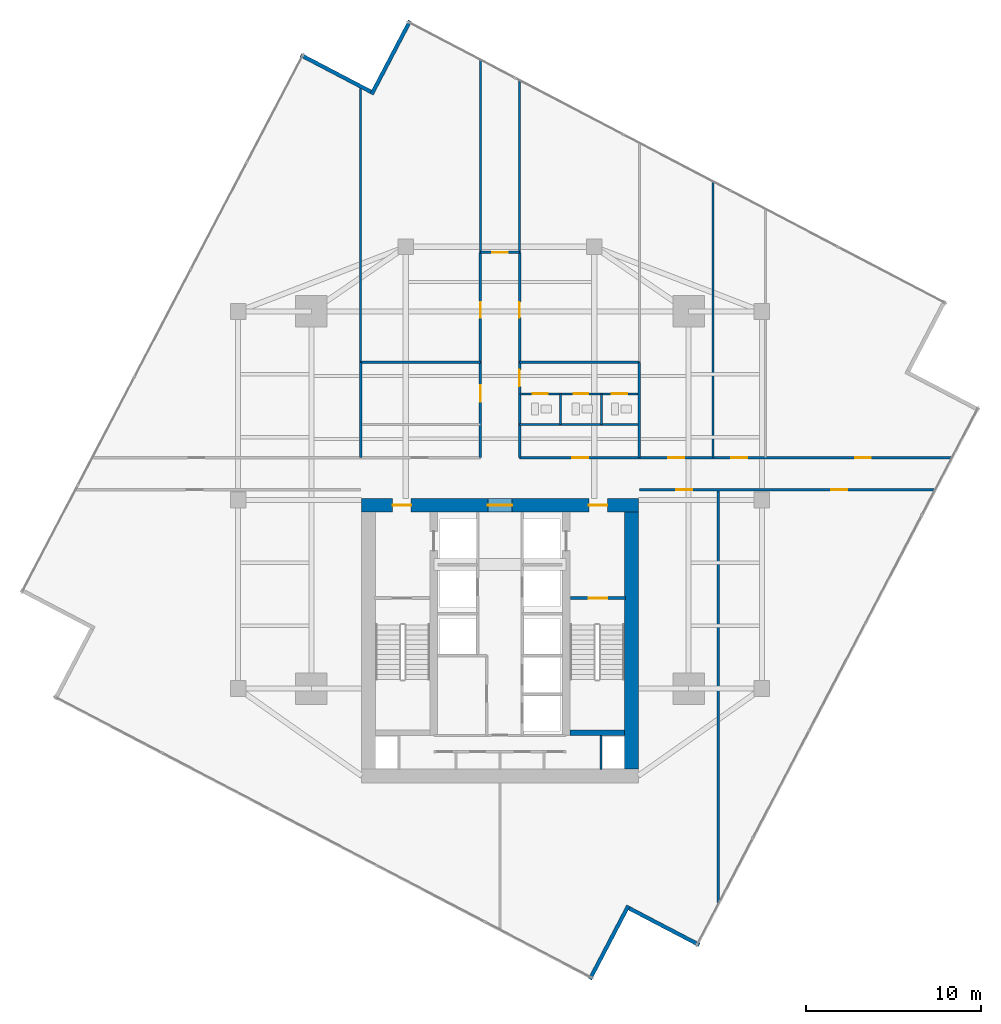
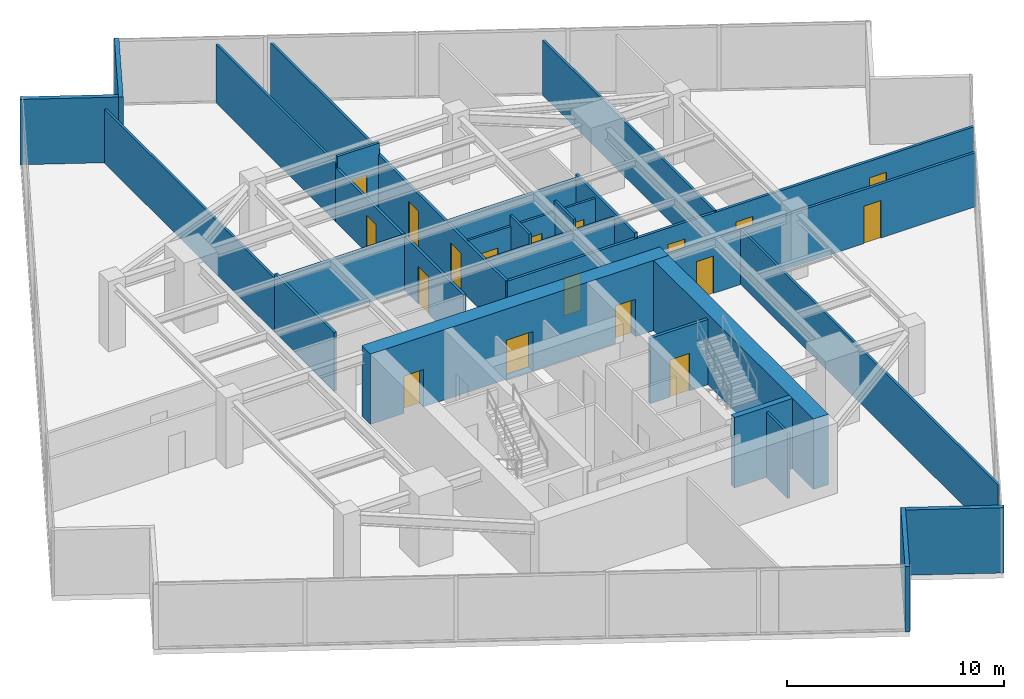
# One storey, part 24 of 27: 27 walls, 18 doors, 18 openings.
"""IFC4 building model written with IfcOpenShell, lengths in metres."""

from ifc_helpers import new_model, si_unit, direction, frame, frame_2d, origin, place, context, subcontext, project, spatial, rectangle, extrude, material, layer, layer_set, type_object, element, fill, save


model = new_model("IFC4")

# Units and contexts
model_context = context("Model", 3, precision=1e-05, world=origin(), true_north=direction((0.0, 1.0)))
body_context = subcontext(model_context, "Body", "Model", "MODEL_VIEW")
ifc_project = project(units=[si_unit("LENGTHUNIT", "METRE"), si_unit("AREAUNIT", "SQUARE_METRE"), si_unit("VOLUMEUNIT", "CUBIC_METRE"), si_unit("PLANEANGLEUNIT", "RADIAN"), si_unit("MASSUNIT", "GRAM", prefix="KILO")], contexts=[model_context])

# Site, building, storey
site_placement = place(None, origin())
site = spatial("IfcSite", under=ifc_project, at=site_placement, CompositionType="ELEMENT")
building_placement = place(site_placement, origin())
building = spatial("IfcBuilding", under=site, at=building_placement, Name="Krantzveldt Concourse Tower", CompositionType="ELEMENT")
storey_placement = place(building_placement, frame((0.0, 0.0, 158.050048828125)))
storey = spatial("IfcBuildingStorey", under=building, at=storey_placement, Name="L38", CompositionType="ELEMENT", Elevation=158.050048828125)

# Walls
ifc_material_1 = material(Name="Anodised aluminium 6063-T6", Category="aluminium")
ifc_layer_1 = layer(ifc_material_1, 0.219970703125, Name="Anodised aluminium 6063-T6", Category="aluminium")
ifc_layer_set_1 = layer_set([ifc_layer_1], Name="Anodised aluminium 6063-T6 (WL-EXT-NOTCH220)")
wall_type_1 = type_object("IfcWallType", Name="WL-EXT-NOTCH220", PredefinedType="ELEMENTEDWALL", material=ifc_layer_set_1)
wall_1_placement = place(storey_placement, frame((28.6005859375, 50.087158203125, 0.0), z_axis=(0.0, 0.0, 1.0), x_axis=(-0.885997280363, 0.463690434653, 0.0)))
element("IfcWall", 1, at=wall_1_placement, inside=storey, type_object=wall_type_1, Name="EW-L38-NCH00", PredefinedType="ELEMENTEDWALL", context=body_context, shape_type="SweptSolid", body=[
    extrude(rectangle(XDim=4.52490234375, YDim=0.219970703125, at=frame_2d((2.262451171875, 0.0))), origin(), (0.0, 0.0, 1.0), 3.669921875),
])
wall_2_placement = place(storey_placement, frame((41.15283203125, -0.74267578125, 0.0), z_axis=(0.0, 0.0, 1.0), x_axis=(0.463643579795, 0.886021800474, 0.0)))
element("IfcWall", 2, at=wall_2_placement, inside=storey, type_object=wall_type_1, Name="EW-L38-NCH05", PredefinedType="ELEMENTEDWALL", context=body_context, shape_type="SweptSolid", body=[
    extrude(rectangle(XDim=4.744873046875, YDim=0.219970703125, at=frame_2d((2.37255859375, 0.0))), origin(), (0.0, 0.0, 1.0), 3.669921875),
])
wall_3_placement = place(storey_placement, frame((43.3994140625, 3.31298828125, 0.0), z_axis=(0.0, 0.0, 1.0), x_axis=(0.885997280363, -0.463690434653, 0.0)))
element("IfcWall", 3, at=wall_3_placement, inside=storey, type_object=wall_type_1, Name="EW-L38-NCH06", PredefinedType="ELEMENTEDWALL", context=body_context, shape_type="SweptSolid", body=[
    extrude(rectangle(XDim=4.52490234375, YDim=0.219970703125, at=frame_2d((2.262451171875, 0.0))), origin(), (0.0, 0.0, 1.0), 3.669921875),
])
wall_4_placement = place(storey_placement, frame((30.84716796875, 54.142578125, 0.0), z_axis=(0.0, 0.0, 1.0), x_axis=(-0.463643579795, -0.886021800474, 0.0)))
element("IfcWall", 4, at=wall_4_placement, inside=storey, type_object=wall_type_1, Name="EW-L38-NCH11", PredefinedType="ELEMENTEDWALL", context=body_context, shape_type="SweptSolid", body=[
    extrude(rectangle(XDim=4.744873046875, YDim=0.219970703125, at=frame_2d((2.37255859375, 0.0))), origin(), (0.0, 0.0, 1.0), 3.669921875),
])
ifc_material_2 = material(Name="Fire-rated gypsum plasterboard on steel stud", Category="steel")
ifc_layer_2 = layer(ifc_material_2, 0.1201171875, Name="Fire-rated gypsum plasterboard on steel stud", Category="steel")
ifc_layer_set_2 = layer_set([ifc_layer_2], Name="Fire-rated gypsum plasterboard on steel stud (WL-PART-120)")
wall_type_2 = type_object("IfcWallType", Name="WL-PART-120", PredefinedType="PARTITIONING", material=ifc_layer_set_2)
wall_5_placement = place(storey_placement, frame((37.1201171875, 31.02001953125, 0.0), z_axis=(0.0, 0.0, 1.0), x_axis=(1.0, 0.0, 0.0)))
element("IfcWall", 5, at=wall_5_placement, inside=storey, type_object=wall_type_2, Name="WP-L38-ISMR", PredefinedType="PARTITIONING", context=body_context, shape_type="SweptSolid", body=[
    extrude(rectangle(XDim=6.85986328125, YDim=0.1201171875, at=frame_2d((3.429931640625, 0.0))), origin(), (0.0, 0.0, 1.0), 3.079833984375),
])

# Wall, openings, doors
wall_6_placement = place(storey_placement, frame((37.14990234375, 32.780029296875, 0.0), z_axis=(0.0, 0.0, 1.0), x_axis=(1.0, 0.0, 0.0)))
wall_6 = element("IfcWall", 6, at=wall_6_placement, inside=storey, type_object=wall_type_2, Name="WP-L38-WCHDR", PredefinedType="PARTITIONING", context=body_context, shape_type="SweptSolid", body=[
    extrude(rectangle(XDim=6.800048828125, YDim=0.1201171875, at=frame_2d((3.39990234375, 0.0))), origin(), (0.0, 0.0, 1.0), 3.079833984375),
])
opening_1_placement = place(wall_6_placement, frame((0.72509765625, 0.0, 0.0)))
opening_1 = element("IfcOpeningElement", 7, at=opening_1_placement, cuts=wall_6, Name="Opening D-IN085", PredefinedType="OPENING", context=body_context, shape_type="SweptSolid", body=[
    extrude(rectangle(XDim=0.85009765625, YDim=2.10009765625, at=frame_2d((0.425048828125, 1.050048828125))), frame((0.0, 0.070068359375, 0.0), z_axis=(0.0, -1.0, 0.0), x_axis=(1.0, 0.0, 0.0)), (0.0, 0.0, 1.0), 0.14013671875),
])
opening_2_placement = place(wall_6_placement, frame((3.06494140625, 0.0, 0.0)))
opening_2 = element("IfcOpeningElement", 8, at=opening_2_placement, cuts=wall_6, Name="Opening D-IN085", PredefinedType="OPENING", context=body_context, shape_type="SweptSolid", body=[
    extrude(rectangle(XDim=0.85009765625, YDim=2.10009765625, at=frame_2d((0.425048828125, 1.050048828125))), frame((0.0, 0.070068359375, 0.0), z_axis=(0.0, -1.0, 0.0), x_axis=(1.0, 0.0, 0.0)), (0.0, 0.0, 1.0), 0.14013671875),
])
opening_3_placement = place(wall_6_placement, frame((5.25, 0.0, 0.0)))
opening_3 = element("IfcOpeningElement", 9, at=opening_3_placement, cuts=wall_6, Name="Opening D-IN090", PredefinedType="OPENING", context=body_context, shape_type="SweptSolid", body=[
    extrude(rectangle(XDim=0.89990234375, YDim=2.10009765625, at=frame_2d((0.449951171875, 1.050048828125))), frame((0.0, 0.070068359375, 0.0), z_axis=(0.0, -1.0, 0.0), x_axis=(1.0, 0.0, 0.0)), (0.0, 0.0, 1.0), 0.14013671875),
])
ifc_material_3 = material(Name="Hardwood timber", Category="wood")
door_type_1 = type_object("IfcDoorType", Name="DR-INT-850", OperationType="SINGLE_SWING_LEFT", PredefinedType="DOOR", material=ifc_material_3)
door_1_placement = place(opening_1_placement, origin())
door_1 = element("IfcDoor", 10, at=door_1_placement, inside=storey, type_object=door_type_1, Name="DR-L38-WCM", OperationType="SINGLE_SWING_LEFT", OverallHeight=2.10009765625, OverallWidth=0.85009765625, PredefinedType="DOOR", context=body_context, shape_type="SweptSolid", body=[
    extrude(rectangle(XDim=0.85009765625, YDim=2.10009765625, at=frame_2d((0.425048828125, 1.050048828125))), frame((0.0, 0.02490234375, 0.0), z_axis=(0.0, -1.0, 0.0), x_axis=(1.0, 0.0, 0.0)), (0.0, 0.0, 1.0), 0.050048828125),
])
fill(opening_1, door_1)
door_2_placement = place(opening_2_placement, origin())
door_2 = element("IfcDoor", 11, at=door_2_placement, inside=storey, type_object=door_type_1, Name="DR-L38-WCF", OperationType="SINGLE_SWING_RIGHT", OverallHeight=2.10009765625, OverallWidth=0.85009765625, PredefinedType="DOOR", context=body_context, shape_type="SweptSolid", body=[
    extrude(rectangle(XDim=0.85009765625, YDim=2.10009765625, at=frame_2d((0.425048828125, 1.050048828125))), frame((0.0, 0.02490234375, 0.0), z_axis=(0.0, -1.0, 0.0), x_axis=(1.0, 0.0, 0.0)), (0.0, 0.0, 1.0), 0.050048828125),
])
fill(opening_2, door_2)
door_type_2 = type_object("IfcDoorType", Name="DR-INT-900", OperationType="SINGLE_SWING_LEFT", PredefinedType="DOOR", material=ifc_material_3)
door_3_placement = place(opening_3_placement, origin())
door_3 = element("IfcDoor", 12, at=door_3_placement, inside=storey, type_object=door_type_2, Name="DR-L38-WCA", OperationType="SINGLE_SWING_LEFT", OverallHeight=2.10009765625, OverallWidth=0.89990234375, PredefinedType="DOOR", context=body_context, shape_type="SweptSolid", body=[
    extrude(rectangle(XDim=0.89990234375, YDim=2.10009765625, at=frame_2d((0.449951171875, 1.050048828125))), frame((0.0, 0.02490234375, 0.0), z_axis=(0.0, -1.0, 0.0), x_axis=(1.0, 0.0, 0.0)), (0.0, 0.0, 1.0), 0.050048828125),
])
fill(opening_3, door_3)

# Walls
for number, where, z_axis, x_axis, name in (
    (13, (39.469970703125, 31.02001953125, 0.0), (0.0, 0.0, 1.0), (0.0, 1.0, 0.0), "WP-L38-WCD1"),
    (14, (41.81005859375, 31.02001953125, 0.0), (0.0, 0.0, 1.0), (0.0, 1.0, 0.0), "WP-L38-WCD2"),
):
    element("IfcWall", number, at=place(storey_placement, frame(where, z_axis=z_axis, x_axis=x_axis)), inside=storey, type_object=wall_type_2, Name=name, PredefinedType="PARTITIONING", context=body_context, shape_type="SweptSolid", body=[
        extrude(rectangle(XDim=1.760009765625, YDim=0.1201171875, at=frame_2d((0.8798828125, 0.0))), origin(), (0.0, 0.0, 1.0), 3.669921875),
    ])
wall_7_placement = place(storey_placement, frame((34.8798828125, 40.8798828125, 0.0), z_axis=(0.0, 0.0, 1.0), x_axis=(0.0, 1.0, 0.0)))
element("IfcWall", 15, at=wall_7_placement, inside=storey, type_object=wall_type_2, Name="WP-L38-NTL", PredefinedType="PARTITIONING", context=body_context, shape_type="SweptSolid", body=[
    extrude(rectangle(XDim=11.0224609375, YDim=0.1201171875, at=frame_2d((5.51123046875, 0.0))), origin(), (0.0, 0.0, 1.0), 3.280029296875),
])
wall_8_placement = place(storey_placement, frame((37.1201171875, 40.8798828125, 0.0), z_axis=(0.0, 0.0, 1.0), x_axis=(0.0, 1.0, 0.0)))
element("IfcWall", 16, at=wall_8_placement, inside=storey, type_object=wall_type_2, Name="WP-L38-NTR", PredefinedType="PARTITIONING", context=body_context, shape_type="SweptSolid", body=[
    extrude(rectangle(XDim=9.85009765625, YDim=0.1201171875, at=frame_2d((4.925048828125, 0.0))), origin(), (0.0, 0.0, 1.0), 3.280029296875),
])
wall_9_placement = place(storey_placement, frame((28.02001953125, 34.580078125, 0.0), z_axis=(0.0, 0.0, 1.0), x_axis=(0.0, 1.0, 0.0)))
element("IfcWall", 17, at=wall_9_placement, inside=storey, type_object=wall_type_2, Name="WP-L38-ISWL2", PredefinedType="PARTITIONING", context=body_context, shape_type="SweptSolid", body=[
    extrude(rectangle(XDim=15.68115234375, YDim=0.1201171875, at=frame_2d((7.840576171875, 0.0))), origin(), (0.0, 0.0, 1.0), 3.030029296875),
])
wall_10_placement = place(storey_placement, frame((48.199951171875, 29.1201171875, 0.0), z_axis=(0.0, 0.0, 1.0), x_axis=(0.0, 1.0, 0.0)))
element("IfcWall", 18, at=wall_10_placement, inside=storey, type_object=wall_type_2, Name="WP-L38-NEX1", PredefinedType="PARTITIONING", context=body_context, shape_type="SweptSolid", body=[
    extrude(rectangle(XDim=15.811279296875, YDim=0.1201171875, at=frame_2d((7.90576171875, 0.0))), origin(), (0.0, 0.0, 1.0), 3.079833984375),
])
wall_11_placement = place(storey_placement, frame((48.5, 3.54833984375, 0.0), z_axis=(0.0, 0.0, 1.0), x_axis=(0.0, 1.0, 0.0)))
element("IfcWall", 19, at=wall_11_placement, inside=storey, type_object=wall_type_2, Name="WP-L38-SEX1", PredefinedType="PARTITIONING", context=body_context, shape_type="SweptSolid", body=[
    extrude(rectangle(XDim=23.731689453125, YDim=0.1201171875, at=frame_2d((11.86572265625, 0.0))), origin(), (0.0, 0.0, 1.0), 3.079833984375),
])

# Wall, openings, doors
ifc_layer_3 = layer(ifc_material_2, 0.139892578125, Name="Fire-rated gypsum plasterboard on steel stud", Category="steel")
ifc_layer_set_3 = layer_set([ifc_layer_3], Name="Fire-rated gypsum plasterboard on steel stud (WL-PART-140)")
wall_type_3 = type_object("IfcWallType", Name="WL-PART-140", PredefinedType="PARTITIONING", material=ifc_layer_set_3)
wall_12_placement = place(storey_placement, frame((34.8798828125, 29.1201171875, 0.0), z_axis=(0.0, 0.0, 1.0), x_axis=(0.0, 1.0, 0.0)))
wall_12 = element("IfcWall", 20, at=wall_12_placement, inside=storey, type_object=wall_type_3, Name="WP-L38-SPWL", PredefinedType="PARTITIONING", context=body_context, shape_type="SweptSolid", body=[
    extrude(rectangle(XDim=11.759765625, YDim=0.139892578125, at=frame_2d((5.8798828125, 0.0))), origin(), (0.0, 0.0, 1.0), 3.030029296875),
])
opening_4_placement = place(wall_12_placement, frame((3.205078125, 0.0, 0.0)))
opening_4 = element("IfcOpeningElement", 21, at=opening_4_placement, cuts=wall_12, Name="Opening D-IN095", PredefinedType="OPENING", context=body_context, shape_type="SweptSolid", body=[
    extrude(rectangle(XDim=0.949951171875, YDim=2.10009765625, at=frame_2d((0.47509765625, 1.050048828125))), frame((0.0, 0.080078125, 0.0), z_axis=(0.0, -1.0, 0.0), x_axis=(1.0, 0.0, 0.0)), (0.0, 0.0, 1.0), 0.159912109375),
])
opening_5_placement = place(wall_12_placement, frame((8.02001953125, 0.0, 0.0)))
opening_5 = element("IfcOpeningElement", 22, at=opening_5_placement, cuts=wall_12, Name="Opening D-IN090", PredefinedType="OPENING", context=body_context, shape_type="SweptSolid", body=[
    extrude(rectangle(XDim=0.89990234375, YDim=2.10009765625, at=frame_2d((0.449951171875, 1.050048828125))), frame((0.0, 0.080078125, 0.0), z_axis=(0.0, -1.0, 0.0), x_axis=(1.0, 0.0, 0.0)), (0.0, 0.0, 1.0), 0.159912109375),
])
door_4_placement = place(opening_5_placement, origin())
door_4 = element("IfcDoor", 23, at=door_4_placement, inside=storey, type_object=door_type_2, Name="DR-L38-NWI1", OperationType="SINGLE_SWING_LEFT", OverallHeight=2.10009765625, OverallWidth=0.89990234375, PredefinedType="DOOR", context=body_context, shape_type="SweptSolid", body=[
    extrude(rectangle(XDim=0.89990234375, YDim=2.10009765625, at=frame_2d((0.449951171875, 1.050048828125))), frame((0.0, 0.02490234375, 0.0), z_axis=(0.0, -1.0, 0.0), x_axis=(1.0, 0.0, 0.0)), (0.0, 0.0, 1.0), 0.050048828125),
])
fill(opening_5, door_4)
door_type_3 = type_object("IfcDoorType", Name="DR-INT-950", OperationType="SINGLE_SWING_LEFT", PredefinedType="DOOR", material=ifc_material_3)
door_5_placement = place(opening_4_placement, origin())
door_5 = element("IfcDoor", 24, at=door_5_placement, inside=storey, type_object=door_type_3, Name="DR-L38-PNT", OperationType="SINGLE_SWING_RIGHT", OverallHeight=2.10009765625, OverallWidth=0.949951171875, PredefinedType="DOOR", context=body_context, shape_type="SweptSolid", body=[
    extrude(rectangle(XDim=0.949951171875, YDim=2.10009765625, at=frame_2d((0.47509765625, 1.050048828125))), frame((0.0, 0.02490234375, 0.0), z_axis=(0.0, -1.0, 0.0), x_axis=(1.0, 0.0, 0.0)), (0.0, 0.0, 1.0), 0.050048828125),
])
fill(opening_4, door_5)

wall_13_placement = place(storey_placement, frame((37.1201171875, 29.1201171875, 0.0), z_axis=(0.0, 0.0, 1.0), x_axis=(0.0, 1.0, 0.0)))
wall_13 = element("IfcWall", 25, at=wall_13_placement, inside=storey, type_object=wall_type_3, Name="WP-L38-SPER", PredefinedType="PARTITIONING", context=body_context, shape_type="SweptSolid", body=[
    extrude(rectangle(XDim=11.759765625, YDim=0.139892578125, at=frame_2d((5.8798828125, 0.0))), origin(), (0.0, 0.0, 1.0), 3.030029296875),
])
opening_6_placement = place(wall_13_placement, frame((4.0849609375, 0.0, 0.0)))
opening_6 = element("IfcOpeningElement", 26, at=opening_6_placement, cuts=wall_13, Name="Opening D-IN095", PredefinedType="OPENING", context=body_context, shape_type="SweptSolid", body=[
    extrude(rectangle(XDim=0.949951171875, YDim=2.10009765625, at=frame_2d((0.47509765625, 1.050048828125))), frame((0.0, 0.080078125, 0.0), z_axis=(0.0, -1.0, 0.0), x_axis=(1.0, 0.0, 0.0)), (0.0, 0.0, 1.0), 0.159912109375),
])
opening_7_placement = place(wall_13_placement, frame((8.02001953125, 0.0, 0.0)))
opening_7 = element("IfcOpeningElement", 27, at=opening_7_placement, cuts=wall_13, Name="Opening D-IN090", PredefinedType="OPENING", context=body_context, shape_type="SweptSolid", body=[
    extrude(rectangle(XDim=0.89990234375, YDim=2.10009765625, at=frame_2d((0.449951171875, 1.050048828125))), frame((0.0, 0.080078125, 0.0), z_axis=(0.0, -1.0, 0.0), x_axis=(1.0, 0.0, 0.0)), (0.0, 0.0, 1.0), 0.159912109375),
])
door_6_placement = place(opening_7_placement, origin())
door_6 = element("IfcDoor", 28, at=door_6_placement, inside=storey, type_object=door_type_2, Name="DR-L38-NEI1", OperationType="SINGLE_SWING_LEFT", OverallHeight=2.10009765625, OverallWidth=0.89990234375, PredefinedType="DOOR", context=body_context, shape_type="SweptSolid", body=[
    extrude(rectangle(XDim=0.89990234375, YDim=2.10009765625, at=frame_2d((0.449951171875, 1.050048828125))), frame((0.0, 0.02490234375, 0.0), z_axis=(0.0, -1.0, 0.0), x_axis=(1.0, 0.0, 0.0)), (0.0, 0.0, 1.0), 0.050048828125),
])
fill(opening_7, door_6)
door_7_placement = place(opening_6_placement, origin())
door_7 = element("IfcDoor", 29, at=door_7_placement, inside=storey, type_object=door_type_3, Name="DR-L38-WCLB", OperationType="SINGLE_SWING_LEFT", OverallHeight=2.10009765625, OverallWidth=0.949951171875, PredefinedType="DOOR", context=body_context, shape_type="SweptSolid", body=[
    extrude(rectangle(XDim=0.949951171875, YDim=2.10009765625, at=frame_2d((0.47509765625, 1.050048828125))), frame((0.0, 0.02490234375, 0.0), z_axis=(0.0, -1.0, 0.0), x_axis=(1.0, 0.0, 0.0)), (0.0, 0.0, 1.0), 0.050048828125),
])
fill(opening_6, door_7)

# Wall, opening, door
wall_14_placement = place(storey_placement, frame((34.8798828125, 40.8798828125, 0.0), z_axis=(0.0, 0.0, 1.0), x_axis=(1.0, 0.0, 0.0)))
wall_14 = element("IfcWall", 30, at=wall_14_placement, inside=storey, type_object=wall_type_3, Name="WP-L38-SPTOP", PredefinedType="PARTITIONING", context=body_context, shape_type="SweptSolid", body=[
    extrude(rectangle(XDim=2.240234375, YDim=0.139892578125, at=frame_2d((1.1201171875, 0.0))), origin(), (0.0, 0.0, 1.0), 3.669921875),
])
opening_8_placement = place(wall_14_placement, frame((0.669921875, 0.0, 0.0)))
opening_8 = element("IfcOpeningElement", 31, at=opening_8_placement, cuts=wall_14, Name="Opening D-IN090", PredefinedType="OPENING", context=body_context, shape_type="SweptSolid", body=[
    extrude(rectangle(XDim=0.89990234375, YDim=2.10009765625, at=frame_2d((0.449951171875, 1.050048828125))), frame((0.0, 0.080078125, 0.0), z_axis=(0.0, -1.0, 0.0), x_axis=(1.0, 0.0, 0.0)), (0.0, 0.0, 1.0), 0.159912109375),
])
door_8_placement = place(opening_8_placement, origin())
door_8 = element("IfcDoor", 32, at=door_8_placement, inside=storey, type_object=door_type_2, Name="DR-L38-NTOP", OperationType="SINGLE_SWING_LEFT", OverallHeight=2.10009765625, OverallWidth=0.89990234375, PredefinedType="DOOR", context=body_context, shape_type="SweptSolid", body=[
    extrude(rectangle(XDim=0.89990234375, YDim=2.10009765625, at=frame_2d((0.449951171875, 1.050048828125))), frame((0.0, 0.02490234375, 0.0), z_axis=(0.0, -1.0, 0.0), x_axis=(1.0, 0.0, 0.0)), (0.0, 0.0, 1.0), 0.050048828125),
])
fill(opening_8, door_8)

# Wall, openings, doors
wall_15_placement = place(storey_placement, frame((37.1201171875, 29.1201171875, 0.0), z_axis=(0.0, 0.0, 1.0), x_axis=(1.0, 0.0, 0.0)))
wall_15 = element("IfcWall", 33, at=wall_15_placement, inside=storey, type_object=wall_type_3, Name="WP-L38-EWNR", PredefinedType="PARTITIONING", context=body_context, shape_type="SweptSolid", body=[
    extrude(rectangle(XDim=24.7626953125, YDim=0.139892578125, at=frame_2d((12.38134765625, 0.0))), origin(), (0.0, 0.0, 1.0), 3.030029296875),
])
opening_9_placement = place(wall_15_placement, frame((3.030029296875, 0.0, 0.0)))
opening_9 = element("IfcOpeningElement", 34, at=opening_9_placement, cuts=wall_15, Name="Opening D-IN090", PredefinedType="OPENING", context=body_context, shape_type="SweptSolid", body=[
    extrude(rectangle(XDim=0.89990234375, YDim=2.10009765625, at=frame_2d((0.449951171875, 1.050048828125))), frame((0.0, 0.080078125, 0.0), z_axis=(0.0, -1.0, 0.0), x_axis=(1.0, 0.0, 0.0)), (0.0, 0.0, 1.0), 0.159912109375),
])
opening_10_placement = place(wall_15_placement, frame((8.52001953125, 0.0, 0.0)))
opening_10 = element("IfcOpeningElement", 35, at=opening_10_placement, cuts=wall_15, Name="Opening D-IN090", PredefinedType="OPENING", context=body_context, shape_type="SweptSolid", body=[
    extrude(rectangle(XDim=0.89990234375, YDim=2.10009765625, at=frame_2d((0.449951171875, 1.050048828125))), frame((0.0, 0.080078125, 0.0), z_axis=(0.0, -1.0, 0.0), x_axis=(1.0, 0.0, 0.0)), (0.0, 0.0, 1.0), 0.159912109375),
])
opening_11_placement = place(wall_15_placement, frame((12.1298828125, 0.0, 0.0)))
opening_11 = element("IfcOpeningElement", 36, at=opening_11_placement, cuts=wall_15, Name="Opening D-IN090", PredefinedType="OPENING", context=body_context, shape_type="SweptSolid", body=[
    extrude(rectangle(XDim=0.89990234375, YDim=2.10009765625, at=frame_2d((0.449951171875, 1.050048828125))), frame((0.0, 0.080078125, 0.0), z_axis=(0.0, -1.0, 0.0), x_axis=(1.0, 0.0, 0.0)), (0.0, 0.0, 1.0), 0.159912109375),
])
opening_12_placement = place(wall_15_placement, frame((19.217041015625, 0.0, 0.0)))
opening_12 = element("IfcOpeningElement", 37, at=opening_12_placement, cuts=wall_15, Name="Opening D-IN090", PredefinedType="OPENING", context=body_context, shape_type="SweptSolid", body=[
    extrude(rectangle(XDim=0.89990234375, YDim=2.10009765625, at=frame_2d((0.449951171875, 1.050048828125))), frame((0.0, 0.080078125, 0.0), z_axis=(0.0, -1.0, 0.0), x_axis=(1.0, 0.0, 0.0)), (0.0, 0.0, 1.0), 0.159912109375),
])
door_9_placement = place(opening_9_placement, origin())
door_9 = element("IfcDoor", 38, at=door_9_placement, inside=storey, type_object=door_type_2, Name="DR-L38-ALCR", OperationType="SINGLE_SWING_RIGHT", OverallHeight=2.10009765625, OverallWidth=0.89990234375, PredefinedType="DOOR", context=body_context, shape_type="SweptSolid", body=[
    extrude(rectangle(XDim=0.89990234375, YDim=2.10009765625, at=frame_2d((0.449951171875, 1.050048828125))), frame((0.0, 0.02490234375, 0.0), z_axis=(0.0, -1.0, 0.0), x_axis=(1.0, 0.0, 0.0)), (0.0, 0.0, 1.0), 0.050048828125),
])
fill(opening_9, door_9)
door_10_placement = place(opening_10_placement, origin())
door_10 = element("IfcDoor", 39, at=door_10_placement, inside=storey, type_object=door_type_2, Name="DR-L38-NEX1", OperationType="SINGLE_SWING_RIGHT", OverallHeight=2.10009765625, OverallWidth=0.89990234375, PredefinedType="DOOR", context=body_context, shape_type="SweptSolid", body=[
    extrude(rectangle(XDim=0.89990234375, YDim=2.10009765625, at=frame_2d((0.449951171875, 1.050048828125))), frame((0.0, 0.02490234375, 0.0), z_axis=(0.0, -1.0, 0.0), x_axis=(1.0, 0.0, 0.0)), (0.0, 0.0, 1.0), 0.050048828125),
])
fill(opening_10, door_10)
door_11_placement = place(opening_11_placement, origin())
door_11 = element("IfcDoor", 40, at=door_11_placement, inside=storey, type_object=door_type_2, Name="DR-L38-NEX2", OperationType="SINGLE_SWING_RIGHT", OverallHeight=2.10009765625, OverallWidth=0.89990234375, PredefinedType="DOOR", context=body_context, shape_type="SweptSolid", body=[
    extrude(rectangle(XDim=0.89990234375, YDim=2.10009765625, at=frame_2d((0.449951171875, 1.050048828125))), frame((0.0, 0.02490234375, 0.0), z_axis=(0.0, -1.0, 0.0), x_axis=(1.0, 0.0, 0.0)), (0.0, 0.0, 1.0), 0.050048828125),
])
fill(opening_11, door_11)
door_12_placement = place(opening_12_placement, origin())
door_12 = element("IfcDoor", 41, at=door_12_placement, inside=storey, type_object=door_type_2, Name="DR-L38-NEX3", OperationType="SINGLE_SWING_RIGHT", OverallHeight=2.10009765625, OverallWidth=0.89990234375, PredefinedType="DOOR", context=body_context, shape_type="SweptSolid", body=[
    extrude(rectangle(XDim=0.89990234375, YDim=2.10009765625, at=frame_2d((0.449951171875, 1.050048828125))), frame((0.0, 0.02490234375, 0.0), z_axis=(0.0, -1.0, 0.0), x_axis=(1.0, 0.0, 0.0)), (0.0, 0.0, 1.0), 0.050048828125),
])
fill(opening_12, door_12)

wall_16_placement = place(storey_placement, frame((44.0, 27.280029296875, 0.0), z_axis=(0.0, 0.0, 1.0), x_axis=(1.0, 0.0, 0.0)))
wall_16 = element("IfcWall", 42, at=wall_16_placement, inside=storey, type_object=wall_type_3, Name="WP-L38-EWSR", PredefinedType="PARTITIONING", context=body_context, shape_type="SweptSolid", body=[
    extrude(rectangle(XDim=16.919921875, YDim=0.139892578125, at=frame_2d((8.4599609375, 0.0))), origin(), (0.0, 0.0, 1.0), 3.030029296875),
])
opening_13_placement = place(wall_16_placement, frame((2.10009765625, 0.0, 0.0)))
opening_13 = element("IfcOpeningElement", 43, at=opening_13_placement, cuts=wall_16, Name="Opening D-IN090", PredefinedType="OPENING", context=body_context, shape_type="SweptSolid", body=[
    extrude(rectangle(XDim=0.89990234375, YDim=2.10009765625, at=frame_2d((0.449951171875, 1.050048828125))), frame((0.0, 0.080078125, 0.0), z_axis=(0.0, -1.0, 0.0), x_axis=(1.0, 0.0, 0.0)), (0.0, 0.0, 1.0), 0.159912109375),
])
opening_14_placement = place(wall_16_placement, frame((10.987060546875, 0.0, 0.0)))
opening_14 = element("IfcOpeningElement", 44, at=opening_14_placement, cuts=wall_16, Name="Opening D-IN090", PredefinedType="OPENING", context=body_context, shape_type="SweptSolid", body=[
    extrude(rectangle(XDim=0.89990234375, YDim=2.10009765625, at=frame_2d((0.449951171875, 1.050048828125))), frame((0.0, 0.080078125, 0.0), z_axis=(0.0, -1.0, 0.0), x_axis=(1.0, 0.0, 0.0)), (0.0, 0.0, 1.0), 0.159912109375),
])
door_13_placement = place(opening_13_placement, origin())
door_13 = element("IfcDoor", 45, at=door_13_placement, inside=storey, type_object=door_type_2, Name="DR-L38-SEX1", OperationType="SINGLE_SWING_RIGHT", OverallHeight=2.10009765625, OverallWidth=0.89990234375, PredefinedType="DOOR", context=body_context, shape_type="SweptSolid", body=[
    extrude(rectangle(XDim=0.89990234375, YDim=2.10009765625, at=frame_2d((0.449951171875, 1.050048828125))), frame((0.0, 0.02490234375, 0.0), z_axis=(0.0, -1.0, 0.0), x_axis=(1.0, 0.0, 0.0)), (0.0, 0.0, 1.0), 0.050048828125),
])
fill(opening_13, door_13)
door_14_placement = place(opening_14_placement, origin())
door_14 = element("IfcDoor", 46, at=door_14_placement, inside=storey, type_object=door_type_2, Name="DR-L38-SEX2", OperationType="SINGLE_SWING_RIGHT", OverallHeight=2.10009765625, OverallWidth=0.89990234375, PredefinedType="DOOR", context=body_context, shape_type="SweptSolid", body=[
    extrude(rectangle(XDim=0.89990234375, YDim=2.10009765625, at=frame_2d((0.449951171875, 1.050048828125))), frame((0.0, 0.02490234375, 0.0), z_axis=(0.0, -1.0, 0.0), x_axis=(1.0, 0.0, 0.0)), (0.0, 0.0, 1.0), 0.050048828125),
])
fill(opening_14, door_14)

# Walls
for number, where, z_axis, x_axis, name in (
    (47, (28.02001953125, 34.580078125, 0.0), (0.0, 0.0, 1.0), (1.0, 0.0, 0.0), "WP-L38-ISNL"),
    (48, (37.1201171875, 34.580078125, 0.0), (0.0, 0.0, 1.0), (1.0, 0.0, 0.0), "WP-L38-ISNR"),
):
    element("IfcWall", number, at=place(storey_placement, frame(where, z_axis=z_axis, x_axis=x_axis)), inside=storey, type_object=wall_type_3, Name=name, PredefinedType="PARTITIONING", context=body_context, shape_type="SweptSolid", body=[
        extrude(rectangle(XDim=6.85986328125, YDim=0.139892578125, at=frame_2d((3.429931640625, 0.0))), origin(), (0.0, 0.0, 1.0), 3.079833984375),
    ])
for number, where, z_axis, x_axis, name in (
    (49, (28.02001953125, 29.1201171875, 0.0), (0.0, 0.0, 1.0), (0.0, 1.0, 0.0), "WP-L38-ISWL"),
    (50, (43.97998046875, 29.1201171875, 0.0), (0.0, 0.0, 1.0), (0.0, 1.0, 0.0), "WP-L38-ISER"),
):
    element("IfcWall", number, at=place(storey_placement, frame(where, z_axis=z_axis, x_axis=x_axis)), inside=storey, type_object=wall_type_3, Name=name, PredefinedType="PARTITIONING", context=body_context, shape_type="SweptSolid", body=[
        extrude(rectangle(XDim=5.4599609375, YDim=0.139892578125, at=frame_2d((2.72998046875, 0.0))), origin(), (0.0, 0.0, 1.0), 3.31005859375),
    ])
ifc_layer_4 = layer(ifc_material_2, 0.139892578125, Name="Fire-rated gypsum plasterboard on steel stud", Category="steel")
ifc_layer_set_4 = layer_set([ifc_layer_4], Name="Fire-rated gypsum plasterboard on steel stud (WL-PART-FR140)")
wall_type_4 = type_object("IfcWallType", Name="WL-PART-FR140", PredefinedType="PARTITIONING", material=ifc_layer_set_4)
wall_17_placement = place(storey_placement, frame((41.780029296875, 11.25, 0.0), z_axis=(0.0, 0.0, 1.0), x_axis=(0.0, 1.0, 0.0)))
element("IfcWall", 51, at=wall_17_placement, inside=storey, type_object=wall_type_4, Name="WP-L38-RSE", PredefinedType="PARTITIONING", context=body_context, shape_type="SweptSolid", body=[
    extrude(rectangle(XDim=1.969970703125, YDim=0.1201171875, at=frame_2d((0.98486328125, 0.0))), origin(), (0.0, 0.0, 1.0), 3.669921875),
])

# Wall, opening, door
ifc_layer_5 = layer(ifc_material_2, 0.159912109375, Name="Fire-rated gypsum plasterboard on steel stud", Category="steel")
ifc_layer_set_5 = layer_set([ifc_layer_5], Name="Fire-rated gypsum plasterboard on steel stud (WL-PART-FR160)")
wall_type_5 = type_object("IfcWallType", Name="WL-PART-FR160", PredefinedType="PARTITIONING", material=ifc_layer_set_5)
wall_18_placement = place(storey_placement, frame((40.0400390625, 21.080078125, 0.0), z_axis=(0.0, 0.0, 1.0), x_axis=(1.0, 0.0, 0.0)))
wall_18 = element("IfcWall", 52, at=wall_18_placement, inside=storey, type_object=wall_type_5, Name="WP-L38-ST2", PredefinedType="PARTITIONING", context=body_context, shape_type="SweptSolid", body=[
    extrude(rectangle(XDim=3.159912109375, YDim=0.159912109375, at=frame_2d((1.580078125, 0.0))), origin(), (0.0, 0.0, 1.0), 3.669921875),
])
opening_15_placement = place(wall_18_placement, frame((1.054931640625, 0.0, 0.0)))
opening_15 = element("IfcOpeningElement", 53, at=opening_15_placement, cuts=wall_18, Name="Opening D-FD105", PredefinedType="OPENING", context=body_context, shape_type="SweptSolid", body=[
    extrude(rectangle(XDim=1.050048828125, YDim=2.10009765625, at=frame_2d((0.52490234375, 1.050048828125))), frame((0.0, 0.08984375, 0.0), z_axis=(0.0, -1.0, 0.0), x_axis=(1.0, 0.0, 0.0)), (0.0, 0.0, 1.0), 0.179931640625),
])
ifc_material_4 = material(Name="Galvanised steel", Category="steel")
door_type_4 = type_object("IfcDoorType", Name="DR-FD120-1050", OperationType="SINGLE_SWING_LEFT", PredefinedType="DOOR", material=ifc_material_4)
door_15_placement = place(opening_15_placement, origin())
door_15 = element("IfcDoor", 54, at=door_15_placement, inside=storey, type_object=door_type_4, Name="DR-L38-ST2", OperationType="SINGLE_SWING_LEFT", OverallHeight=2.10009765625, OverallWidth=1.050048828125, PredefinedType="DOOR", context=body_context, shape_type="SweptSolid", body=[
    extrude(rectangle(XDim=1.050048828125, YDim=2.10009765625, at=frame_2d((0.52490234375, 1.050048828125))), frame((0.0, 0.02490234375, 0.0), z_axis=(0.0, -1.0, 0.0), x_axis=(1.0, 0.0, 0.0)), (0.0, 0.0, 1.0), 0.050048828125),
])
fill(opening_15, door_15)

# Wall
ifc_material_5 = material(Name="Concrete C50/60", Category="concrete")
ifc_layer_6 = layer(ifc_material_5, 0.300048828125, Name="Concrete C50/60", Category="concrete")
ifc_layer_set_6 = layer_set([ifc_layer_6], Name="Concrete C50/60 (WL-SHEAR-300)")
wall_type_6 = type_object("IfcWallType", Name="WL-SHEAR-300", PredefinedType="SHEAR", material=ifc_layer_set_6)
wall_19_placement = place(storey_placement, frame((40.02001953125, 13.3701171875, 0.0), z_axis=(0.0, 0.0, 1.0), x_axis=(1.0, 0.0, 0.0)))
element("IfcWall", 55, at=wall_19_placement, inside=storey, type_object=wall_type_6, Name="CW-L38-ST2S", PredefinedType="SHEAR", context=body_context, shape_type="SweptSolid", body=[
    extrude(rectangle(XDim=3.10009765625, YDim=0.300048828125, at=frame_2d((1.550048828125, 0.0))), origin(), (0.0, 0.0, 1.0), 3.949951171875),
])

# Wall, openings, doors
ifc_material_6 = material(Name="Concrete C60/75", Category="concrete")
ifc_layer_7 = layer(ifc_material_6, 0.800048828125, Name="Concrete C60/75", Category="concrete")
ifc_layer_set_7 = layer_set([ifc_layer_7], Name="Concrete C60/75 (WL-SHEAR-800)")
wall_type_7 = type_object("IfcWallType", Name="WL-SHEAR-800", PredefinedType="SHEAR", material=ifc_layer_set_7)
wall_20_placement = place(storey_placement, frame((28.080078125, 26.39990234375, 0.0), z_axis=(0.0, 0.0, 1.0), x_axis=(1.0, 0.0, 0.0)))
wall_20 = element("IfcWall", 56, at=wall_20_placement, inside=storey, type_object=wall_type_7, Name="CW-L38-N", PredefinedType="SHEAR", context=body_context, shape_type="SweptSolid", body=[
    extrude(rectangle(XDim=15.83984375, YDim=0.800048828125, at=frame_2d((7.919921875, 0.0))), origin(), (0.0, 0.0, 1.0), 3.949951171875),
])
opening_16_placement = place(wall_20_placement, frame((7.219970703125, 0.0, 0.0)))
opening_16 = element("IfcOpeningElement", 57, at=opening_16_placement, cuts=wall_20, Name="Opening D-DB140", PredefinedType="OPENING", context=body_context, shape_type="SweptSolid", body=[
    extrude(rectangle(XDim=1.39990234375, YDim=2.199951171875, at=frame_2d((0.699951171875, 1.10009765625))), frame((0.0, 0.41015625, 0.0), z_axis=(0.0, -1.0, 0.0), x_axis=(1.0, 0.0, 0.0)), (0.0, 0.0, 1.0), 0.820068359375),
])
opening_17_placement = place(wall_20_placement, frame((1.77490234375, 0.0, 0.0)))
opening_17 = element("IfcOpeningElement", 58, at=opening_17_placement, cuts=wall_20, Name="Opening D-FD105", PredefinedType="OPENING", context=body_context, shape_type="SweptSolid", body=[
    extrude(rectangle(XDim=1.050048828125, YDim=2.10009765625, at=frame_2d((0.52490234375, 1.050048828125))), frame((0.0, 0.41015625, 0.0), z_axis=(0.0, -1.0, 0.0), x_axis=(1.0, 0.0, 0.0)), (0.0, 0.0, 1.0), 0.820068359375),
])
opening_18_placement = place(wall_20_placement, frame((13.014892578125, 0.0, 0.0)))
opening_18 = element("IfcOpeningElement", 59, at=opening_18_placement, cuts=wall_20, Name="Opening D-FD105", PredefinedType="OPENING", context=body_context, shape_type="SweptSolid", body=[
    extrude(rectangle(XDim=1.050048828125, YDim=2.10009765625, at=frame_2d((0.52490234375, 1.050048828125))), frame((0.0, 0.41015625, 0.0), z_axis=(0.0, -1.0, 0.0), x_axis=(1.0, 0.0, 0.0)), (0.0, 0.0, 1.0), 0.820068359375),
])
door_type_5 = type_object("IfcDoorType", Name="DR-DBL-1400", OperationType="DOUBLE_DOOR_SINGLE_SWING", PredefinedType="DOOR", material=ifc_material_1)
door_16_placement = place(opening_16_placement, origin())
door_16 = element("IfcDoor", 60, at=door_16_placement, inside=storey, type_object=door_type_5, Name="DR-L38-LLB", OperationType="DOUBLE_DOOR_SINGLE_SWING", OverallHeight=2.199951171875, OverallWidth=1.39990234375, PredefinedType="DOOR", context=body_context, shape_type="SweptSolid", body=[
    extrude(rectangle(XDim=1.39990234375, YDim=2.199951171875, at=frame_2d((0.699951171875, 1.10009765625))), frame((0.0, 0.02490234375, 0.0), z_axis=(0.0, -1.0, 0.0), x_axis=(1.0, 0.0, 0.0)), (0.0, 0.0, 1.0), 0.050048828125),
])
fill(opening_16, door_16)
door_17_placement = place(opening_17_placement, origin())
door_17 = element("IfcDoor", 61, at=door_17_placement, inside=storey, type_object=door_type_4, Name="DR-L38-FFL1", OperationType="SINGLE_SWING_LEFT", OverallHeight=2.10009765625, OverallWidth=1.050048828125, PredefinedType="DOOR", context=body_context, shape_type="SweptSolid", body=[
    extrude(rectangle(XDim=1.050048828125, YDim=2.10009765625, at=frame_2d((0.52490234375, 1.050048828125))), frame((0.0, 0.02490234375, 0.0), z_axis=(0.0, -1.0, 0.0), x_axis=(1.0, 0.0, 0.0)), (0.0, 0.0, 1.0), 0.050048828125),
])
fill(opening_17, door_17)
door_18_placement = place(opening_18_placement, origin())
door_18 = element("IfcDoor", 62, at=door_18_placement, inside=storey, type_object=door_type_4, Name="DR-L38-FFL2", OperationType="SINGLE_SWING_RIGHT", OverallHeight=2.10009765625, OverallWidth=1.050048828125, PredefinedType="DOOR", context=body_context, shape_type="SweptSolid", body=[
    extrude(rectangle(XDim=1.050048828125, YDim=2.10009765625, at=frame_2d((0.52490234375, 1.050048828125))), frame((0.0, 0.02490234375, 0.0), z_axis=(0.0, -1.0, 0.0), x_axis=(1.0, 0.0, 0.0)), (0.0, 0.0, 1.0), 0.050048828125),
])
fill(opening_18, door_18)

# Wall
wall_21_placement = place(storey_placement, frame((43.52001953125, 11.300048828125, 0.0), z_axis=(0.0, 0.0, 1.0), x_axis=(0.0, 1.0, 0.0)))
element("IfcWall", 63, at=wall_21_placement, inside=storey, type_object=wall_type_7, Name="CW-L38-E", PredefinedType="SHEAR", context=body_context, shape_type="SweptSolid", body=[
    extrude(rectangle(XDim=14.699951171875, YDim=0.800048828125, at=frame_2d((7.35009765625, 0.0))), origin(), (0.0, 0.0, 1.0), 3.949951171875),
])

save(model, "model.ifc")
